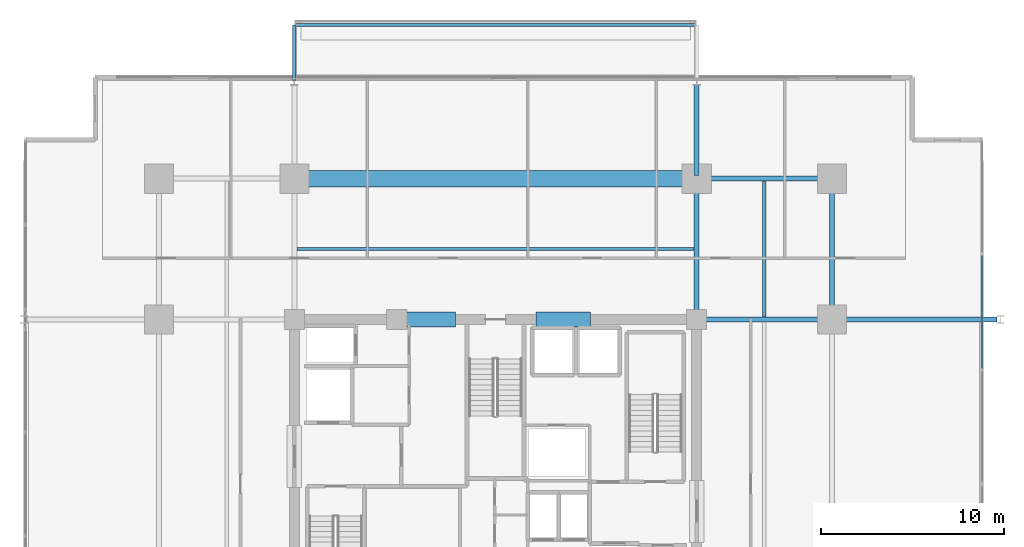
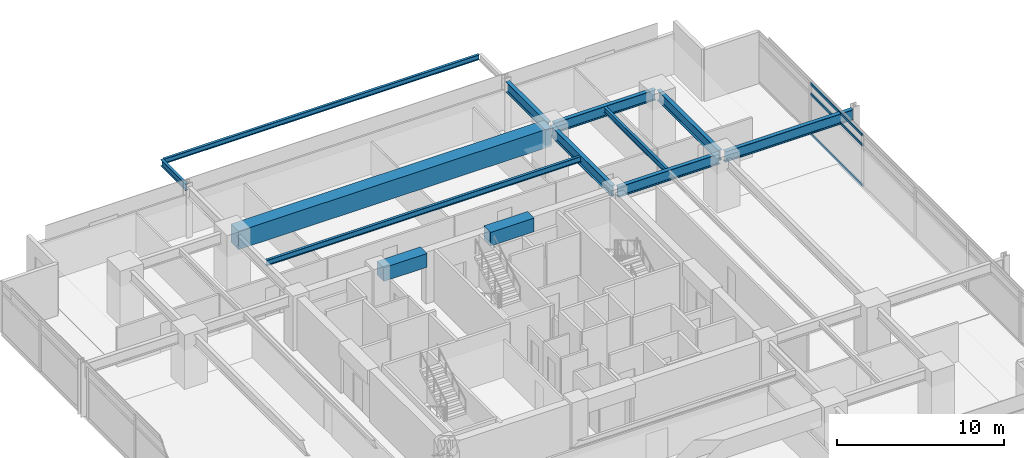
# One storey, part 11 of 21: 13 beams, 3 members, 1 element without a shape of its own.
"""IFC4 building model written with IfcOpenShell, lengths in metres."""

from ifc_helpers import new_model, si_unit, direction, frame, origin, origin_2d, place, context, subcontext, project, spatial, rectangle, hollow_rectangle, i_section, extrude, material, material_profile, profile_set, type_object, element, aggregate, save


model = new_model("IFC4")

# Units and contexts
model_context = context("Model", 3, precision=1e-05, world=origin(), true_north=direction((0.0, 1.0)))
body_context = subcontext(model_context, "Body", "Model", "MODEL_VIEW")
ifc_project = project(units=[si_unit("LENGTHUNIT", "METRE"), si_unit("AREAUNIT", "SQUARE_METRE"), si_unit("VOLUMEUNIT", "CUBIC_METRE"), si_unit("PLANEANGLEUNIT", "RADIAN"), si_unit("MASSUNIT", "GRAM", prefix="KILO")], contexts=[model_context])

# Site, building, storey
site_placement = place(None, origin())
site = spatial("IfcSite", under=ifc_project, at=site_placement, CompositionType="ELEMENT")
building_placement = place(site_placement, origin())
building = spatial("IfcBuilding", under=site, at=building_placement, Name="Kovane Verandah Tower", CompositionType="ELEMENT")
storey_placement = place(building_placement, frame((0.0, 0.0, 152.39990234375)))
storey = spatial("IfcBuildingStorey", under=building, at=storey_placement, Name="L35", CompositionType="ELEMENT", Elevation=152.39990234375)

# Beams
ifc_material_1 = material(Name="Concrete C60/75", Category="concrete")
ifc_material_profile_1 = material_profile(ifc_material_1, rectangle(XDim=0.800048828125, YDim=1.0, at=origin_2d()), Name="RCB800x1000")
ifc_profile_set_1 = profile_set([ifc_material_profile_1], Name="Concrete C60/75")
beam_type_1 = type_object("IfcBeamType", Name="BM-LINTEL-800x1000", PredefinedType="LINTEL", material=ifc_profile_set_1)
for number, where, z_axis, x_axis, name in (
    (1, (34.800048828125, 36.5, 3.275146484375), (1.0, 0.0, 0.0), (0.0, 1.0, 0.0), "L35 Core Coupling Lintel CL-N1"),
    (2, (42.199951171875, 36.5, 3.275146484375), (1.0, 0.0, 0.0), (0.0, 1.0, 0.0), "L35 Core Coupling Lintel CL-N2"),
):
    element("IfcBeam", number, at=place(storey_placement, frame(where, z_axis=z_axis, x_axis=x_axis)), inside=storey, type_object=beam_type_1, Name=name, PredefinedType="LINTEL", context=body_context, shape_type="SweptSolid", body=[
        extrude(rectangle(XDim=0.800048828125, YDim=1.0, at=origin_2d()), origin(), (0.0, 0.0, 1.0), 3.0),
    ])
ifc_material_2 = material(Name="Concrete C80/95", Category="concrete")
ifc_material_profile_2 = material_profile(ifc_material_2, rectangle(XDim=0.89990234375, YDim=1.35009765625, at=origin_2d()), Name="RCB900x1350")
ifc_profile_set_2 = profile_set([ifc_material_profile_2], Name="Concrete C80/95")
beam_type_2 = type_object("IfcBeamType", Name="BM-TR-900x1350", PredefinedType="BEAM", material=ifc_profile_set_2)
beam_1_placement = place(storey_placement, frame((29.179931640625, 44.199951171875, 3.10009765625), z_axis=(1.0, 0.0, 0.0), x_axis=(0.0, 1.0, 0.0)))
element("IfcBeam", 3, at=beam_1_placement, inside=storey, type_object=beam_type_2, Name="L35 Primary Tower Girder G-RN2", PredefinedType="BEAM", context=body_context, shape_type="SweptSolid", body=[
    extrude(rectangle(XDim=0.89990234375, YDim=1.35009765625, at=origin_2d()), origin(), (0.0, 0.0, 1.0), 21.64013671875),
])
ifc_material_3 = material(Name="Steel S355", Category="steel")
ifc_material_profile_3 = material_profile(ifc_material_3, i_section(OverallWidth=0.26806640625, OverallDepth=0.769775390625, WebThickness=0.015625, FlangeThickness=0.025390625, FilletRadius=0.0166015625, at=origin_2d()), Name="UB762x267x197")
ifc_profile_set_3 = profile_set([ifc_material_profile_3], Name="Steel S355")
beam_type_3 = type_object("IfcBeamType", Name="BM-UB762x197", PredefinedType="BEAM", material=ifc_profile_set_3)
beam_2_placement = place(storey_placement, frame((51.179931640625, 44.199951171875, 3.39013671875), z_axis=(1.0, 0.0, 0.0), x_axis=(0.0, 1.0, 0.0)))
element("IfcBeam", 4, at=beam_2_placement, inside=storey, type_object=beam_type_3, Name="L35 Primary Tower Girder G-RN3", PredefinedType="BEAM", context=body_context, shape_type="SweptSolid", body=[
    extrude(i_section(OverallWidth=0.26806640625, OverallDepth=0.769775390625, WebThickness=0.015625, FlangeThickness=0.025390625, FilletRadius=0.0166015625, at=origin_2d()), origin(), (0.0, 0.0, 1.0), 7.0400390625),
])
beam_3_placement = place(storey_placement, frame((58.39990234375, 36.679931640625, 3.39013671875), z_axis=(0.0, 1.0, 0.0), x_axis=(-1.0, 0.0, 0.0)))
element("IfcBeam", 5, at=beam_3_placement, inside=storey, type_object=beam_type_3, Name="L35 Primary Tower Girder G-RE3", PredefinedType="BEAM", context=body_context, shape_type="SweptSolid", body=[
    extrude(i_section(OverallWidth=0.26806640625, OverallDepth=0.769775390625, WebThickness=0.015625, FlangeThickness=0.025390625, FilletRadius=0.0166015625, at=origin_2d()), origin(), (0.0, 0.0, 1.0), 7.340087890625),
])
beam_4_placement = place(storey_placement, frame((51.179931640625, 36.5, 3.39013671875), z_axis=(1.0, 0.0, 0.0), x_axis=(0.0, 1.0, 0.0)))
element("IfcBeam", 6, at=beam_4_placement, inside=storey, type_object=beam_type_3, Name="L35 Primary Tower Girder G-E2", PredefinedType="BEAM", context=body_context, shape_type="SweptSolid", body=[
    extrude(i_section(OverallWidth=0.26806640625, OverallDepth=0.769775390625, WebThickness=0.015625, FlangeThickness=0.025390625, FilletRadius=0.0166015625, at=origin_2d()), origin(), (0.0, 0.0, 1.0), 7.0400390625),
])
beam_5_placement = place(storey_placement, frame((51.0, 36.679931640625, 3.39013671875), z_axis=(0.0, 1.0, 0.0), x_axis=(-1.0, 0.0, 0.0)))
element("IfcBeam", 7, at=beam_5_placement, inside=storey, type_object=beam_type_3, Name="L35 Primary Tower Girder G-N2", PredefinedType="BEAM", context=body_context, shape_type="SweptSolid", body=[
    extrude(i_section(OverallWidth=0.26806640625, OverallDepth=0.769775390625, WebThickness=0.015625, FlangeThickness=0.025390625, FilletRadius=0.0166015625, at=origin_2d()), origin(), (0.0, 0.0, 1.0), 7.340087890625),
])
beam_6_placement = place(storey_placement, frame((58.580078125, 36.5, 3.375244140625), z_axis=(1.0, 0.0, 0.0), x_axis=(0.0, 1.0, 0.0)))
element("IfcBeam", 8, at=beam_6_placement, inside=storey, type_object=beam_type_3, Name="L35 Primary Tower Girder G-VE2", PredefinedType="BEAM", context=body_context, shape_type="SweptSolid", body=[
    extrude(i_section(OverallWidth=0.26806640625, OverallDepth=0.769775390625, WebThickness=0.015625, FlangeThickness=0.025390625, FilletRadius=0.0166015625, at=origin_2d()), origin(), (0.0, 0.0, 1.0), 8.83984375),
])
beam_7_placement = place(storey_placement, frame((51.0, 44.3798828125, 3.375244140625), z_axis=(0.0, 1.0, 0.0), x_axis=(-1.0, 0.0, 0.0)))
element("IfcBeam", 9, at=beam_7_placement, inside=storey, type_object=beam_type_3, Name="L35 Primary Tower Girder G-VN2", PredefinedType="BEAM", context=body_context, shape_type="SweptSolid", body=[
    extrude(i_section(OverallWidth=0.26806640625, OverallDepth=0.769775390625, WebThickness=0.015625, FlangeThickness=0.025390625, FilletRadius=0.0166015625, at=origin_2d()), origin(), (0.0, 0.0, 1.0), 4.940185546875),
])

# Curtain wall, members
ifc_material_4 = material(Name="Champagne Anodised Aluminium Frame with Low-E Clear Laminated Glass", Category="aluminium")
curtain_wall_type = type_object("IfcCurtainWallType", Name="CW-SYS-03-MID", PredefinedType="NOTDEFINED", material=ifc_material_4)
curtain_wall_placement = place(storey_placement, origin())
curtain_wall = element("IfcCurtainWall", 10, at=curtain_wall_placement, inside=storey, type_object=curtain_wall_type, Name="L35 E Unitised Curtain Wall", PredefinedType="NOTDEFINED")
ifc_material_5 = material(Name="Champagne Anodised Aluminium 6063-T6", Category="aluminium")
ifc_material_profile_4 = material_profile(ifc_material_5, hollow_rectangle(XDim=0.0849609375, YDim=0.18994140625, WallThickness=0.00390625, at=origin_2d()), Name="AL85x190x4")
ifc_profile_set_4 = profile_set([ifc_material_profile_4], Name="Champagne Anodised Aluminium 6063-T6")
member_type = type_object("IfcMemberType", Name="CW-TRN-85x190", PredefinedType="USERDEFINED", material=ifc_profile_set_4)
member_1_placement = place(storey_placement, frame((66.60595703125, 33.82568359375, 0.050048828125), z_axis=(0.0, 1.0, 0.0), x_axis=(-1.0, 0.0, 0.0)))
member_1 = element("IfcMember", 11, at=member_1_placement, type_object=member_type, Name="L35 E Unitised Curtain Wall Transom TB Bay 5", ObjectType="TRANSOM", PredefinedType="USERDEFINED", context=body_context, shape_type="SweptSolid", body=[
    extrude(hollow_rectangle(XDim=0.0849609375, YDim=0.18994140625, WallThickness=0.00390625, at=origin_2d()), origin(), (0.0, 0.0, 1.0), 6.17578125),
])
member_2_placement = place(storey_placement, frame((66.60595703125, 33.82568359375, 2.9951171875), z_axis=(0.0, 1.0, 0.0), x_axis=(-1.0, 0.0, 0.0)))
member_2 = element("IfcMember", 12, at=member_2_placement, type_object=member_type, Name="L35 E Unitised Curtain Wall Transom TM Bay 5", ObjectType="TRANSOM", PredefinedType="USERDEFINED", context=body_context, shape_type="SweptSolid", body=[
    extrude(hollow_rectangle(XDim=0.0849609375, YDim=0.18994140625, WallThickness=0.00390625, at=origin_2d()), origin(), (0.0, 0.0, 1.0), 6.17578125),
])
member_3_placement = place(storey_placement, frame((66.60595703125, 33.82568359375, 3.72509765625), z_axis=(0.0, 1.0, 0.0), x_axis=(-1.0, 0.0, 0.0)))
member_3 = element("IfcMember", 13, at=member_3_placement, type_object=member_type, Name="L35 E Unitised Curtain Wall Transom TT Bay 5", ObjectType="TRANSOM", PredefinedType="USERDEFINED", context=body_context, shape_type="SweptSolid", body=[
    extrude(hollow_rectangle(XDim=0.0849609375, YDim=0.18994140625, WallThickness=0.00390625, at=origin_2d()), origin(), (0.0, 0.0, 1.0), 6.17578125),
])
aggregate(curtain_wall, [member_1, member_2, member_3])

# Beams
ifc_material_profile_5 = material_profile(ifc_material_3, i_section(OverallWidth=0.179443359375, OverallDepth=0.412841796875, WebThickness=0.009521484375, FlangeThickness=0.01611328125, FilletRadius=0.01025390625, at=origin_2d()), Name="UB406x178x74")
ifc_profile_set_5 = profile_set([ifc_material_profile_5], Name="Steel S355")
beam_type_4 = type_object("IfcBeamType", Name="JST-UB406x74", PredefinedType="JOIST", material=ifc_profile_set_5)
beam_8_placement = place(storey_placement, frame((29.132080078125, 40.35009765625, 3.568603515625), z_axis=(1.0, 0.0, 0.0), x_axis=(0.0, 1.0, 0.0)))
element("IfcBeam", 14, at=beam_8_placement, inside=storey, type_object=beam_type_4, Name="L35 Secondary Composite Joist J-N1", PredefinedType="JOIST", context=body_context, shape_type="SweptSolid", body=[
    extrude(i_section(OverallWidth=0.179443359375, OverallDepth=0.412841796875, WebThickness=0.009521484375, FlangeThickness=0.01611328125, FilletRadius=0.01025390625, at=origin_2d()), origin(), (0.0, 0.0, 1.0), 21.73583984375),
])
beam_9_placement = place(storey_placement, frame((54.699951171875, 36.632080078125, 3.568603515625), z_axis=(0.0, 1.0, 0.0), x_axis=(-1.0, 0.0, 0.0)))
element("IfcBeam", 15, at=beam_9_placement, inside=storey, type_object=beam_type_4, Name="L35 Secondary Composite Joist J-NE1", PredefinedType="JOIST", context=body_context, shape_type="SweptSolid", body=[
    extrude(i_section(OverallWidth=0.179443359375, OverallDepth=0.412841796875, WebThickness=0.009521484375, FlangeThickness=0.01611328125, FilletRadius=0.01025390625, at=origin_2d()), origin(), (0.0, 0.0, 1.0), 7.43603515625),
])
ifc_material_profile_6 = material_profile(ifc_material_3, i_section(OverallWidth=0.19287109375, OverallDepth=0.46728515625, WebThickness=0.011474609375, FlangeThickness=0.01953125, FilletRadius=0.01025390625, at=origin_2d()), Name="UB457x191x98")
ifc_profile_set_6 = profile_set([ifc_material_profile_6], Name="Steel S355")
beam_type_5 = type_object("IfcBeamType", Name="JST-UB457x98", PredefinedType="JOIST", material=ifc_profile_set_6)
beam_10_placement = place(storey_placement, frame((29.0, 49.580078125, 3.526611328125), z_axis=(0.0, 1.0, 0.0), x_axis=(-1.0, 0.0, 0.0)))
element("IfcBeam", 16, at=beam_10_placement, inside=storey, type_object=beam_type_5, Name="L35 North Planter Girder 1", PredefinedType="JOIST", context=body_context, shape_type="SweptSolid", body=[
    extrude(i_section(OverallWidth=0.19287109375, OverallDepth=0.46728515625, WebThickness=0.011474609375, FlangeThickness=0.01953125, FilletRadius=0.01025390625, at=origin_2d()), origin(), (0.0, 0.0, 1.0), 3.01611328125),
])
ifc_material_profile_7 = material_profile(ifc_material_3, i_section(OverallWidth=0.173095703125, OverallDepth=0.36328125, WebThickness=0.009033203125, FlangeThickness=0.015625, FilletRadius=0.01025390625, at=origin_2d()), Name="UB356x171x67")
ifc_profile_set_7 = profile_set([ifc_material_profile_7], Name="Steel S355")
beam_type_6 = type_object("IfcBeamType", Name="SPD-UB356x67", PredefinedType="USERDEFINED", material=ifc_profile_set_7)
beam_11_placement = place(storey_placement, frame((29.094482421875, 52.59619140625, 3.578369140625), z_axis=(1.0, 0.0, 0.0), x_axis=(0.0, 1.0, 0.0)))
element("IfcBeam", 17, at=beam_11_placement, inside=storey, type_object=beam_type_6, Name="L35 North Planter Edge Spandrel", ObjectType="SPANDREL", PredefinedType="USERDEFINED", context=body_context, shape_type="SweptSolid", body=[
    extrude(i_section(OverallWidth=0.173095703125, OverallDepth=0.36328125, WebThickness=0.009033203125, FlangeThickness=0.015625, FilletRadius=0.01025390625, at=origin_2d()), origin(), (0.0, 0.0, 1.0), 21.81103515625),
])

save(model, "model.ifc")
